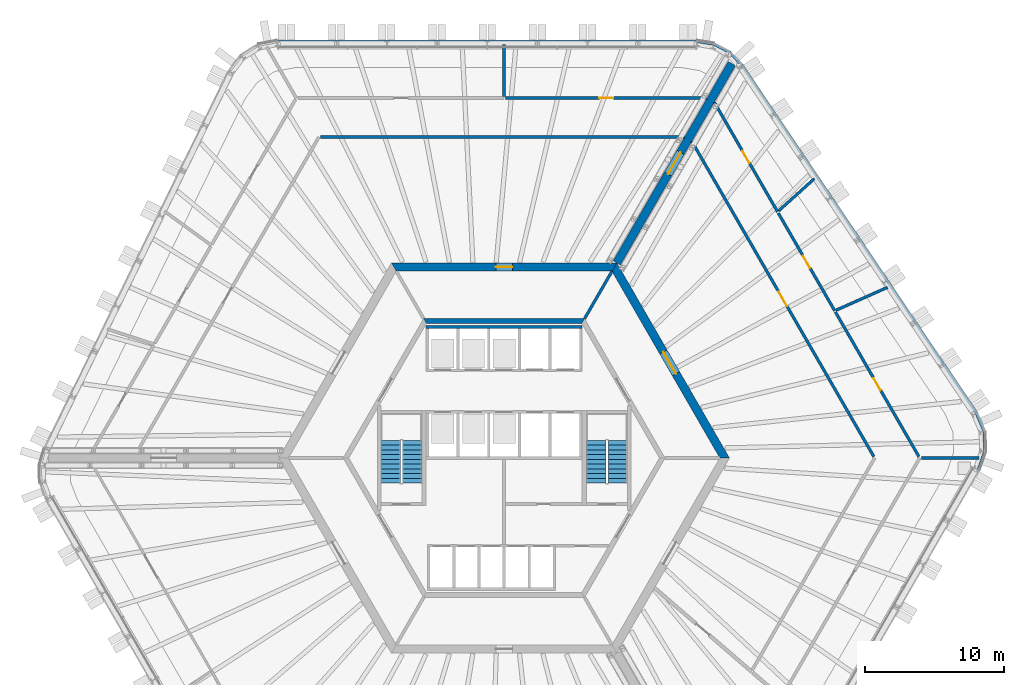
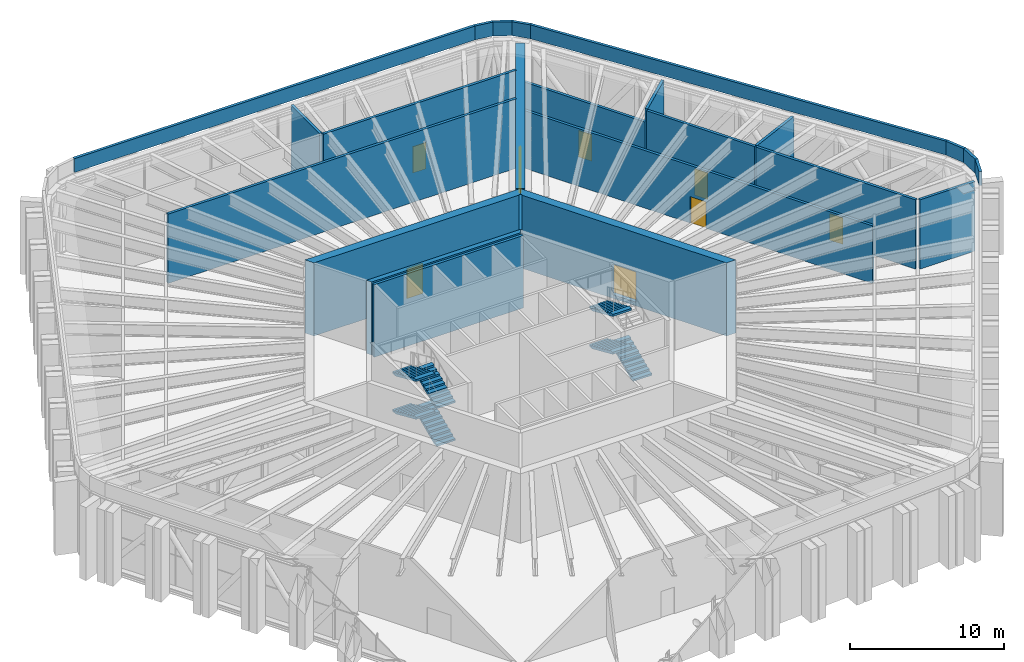
# One storey, part 16 of 27: 24 walls, 8 doors, 7 stair flights, 8 openings, 2 elements without a shape of their own.
"""IFC4 building model written with IfcOpenShell, lengths in metres."""

from ifc_helpers import new_model, si_unit, direction, frame, frame_2d, origin, place, context, subcontext, project, spatial, polyline, rectangle, outline, extrude, material, layer, layer_set, type_object, element, fill, aggregate, save


model = new_model("IFC4")

# Units and contexts
model_context = context("Model", 3, precision=1e-05, world=origin(), true_north=direction((0.0, 1.0)))
body_context = subcontext(model_context, "Body", "Model", "MODEL_VIEW")
ifc_project = project(units=[si_unit("LENGTHUNIT", "METRE"), si_unit("AREAUNIT", "SQUARE_METRE"), si_unit("VOLUMEUNIT", "CUBIC_METRE"), si_unit("PLANEANGLEUNIT", "RADIAN"), si_unit("MASSUNIT", "GRAM", prefix="KILO")], contexts=[model_context])

# Site, building, storey
site_placement = place(None, origin())
site = spatial("IfcSite", under=ifc_project, at=site_placement, CompositionType="ELEMENT")
building_placement = place(site_placement, origin())
building = spatial("IfcBuilding", under=site, at=building_placement, Name="Tarnside Tower", CompositionType="ELEMENT")
storey_placement = place(building_placement, frame((0.0, 0.0, 146.699951171875)))
storey = spatial("IfcBuildingStorey", under=building, at=storey_placement, Name="L34", CompositionType="ELEMENT", Elevation=146.699951171875)

# Wall
ifc_material_1 = material(Name="Concrete C50/60", Category="concrete")
ifc_layer_1 = layer(ifc_material_1, 0.35009765625)
ifc_layer_set_1 = layer_set([ifc_layer_1], Name="Core block wall 350 C50/60")
wall_type_1 = type_object("IfcWallType", Name="Core block wall 350 C50/60", PredefinedType="SHEAR", material=ifc_layer_set_1)
wall_1_placement = place(storey_placement, frame((5.672607421875, 9.824951171875, -0.300048828125), z_axis=(0.0, 0.0, 1.0), x_axis=(-1.0, 0.0, 0.0)))
element("IfcWall", 1, at=wall_1_placement, inside=storey, type_object=wall_type_1, Name="L34 core block wall face 1", PredefinedType="SHEAR", context=body_context, shape_type="SweptSolid", body=[
    extrude(outline(polyline([(-0.10107421875, -0.175048828125), (11.4462890625, -0.175048828125), (11.244140625, 0.175048828125), (0.10107421875, 0.175048828125), (-0.10107421875, -0.175048828125)])), origin(), (0.0, 0.0, 1.0), 5.800048828125),
])

# Wall, opening, door
ifc_material_2 = material(Name="Concrete C80/95", Category="concrete")
ifc_layer_2 = layer(ifc_material_2, 0.60009765625)
ifc_layer_set_2 = layer_set([ifc_layer_2], Name="Core wall Z1 600 C80/95")
wall_type_2 = type_object("IfcWallType", Name="Core wall Z1 600 C80/95", PredefinedType="SHEAR", material=ifc_layer_set_2)
wall_2_placement = place(storey_placement, frame((15.8193359375, 0.0, -0.300048828125), z_axis=(0.0, 0.0, 1.0), x_axis=(-0.499999880136, 0.866025472988, 0.0)))
wall_2 = element("IfcWall", 2, at=wall_2_placement, inside=storey, type_object=wall_type_2, Name="L34 core wall face 6", PredefinedType="SHEAR", context=body_context, shape_type="SweptSolid", body=[
    extrude(outline(polyline([(-0.17333984375, -0.300048828125), (15.99267578125, -0.300048828125), (15.64599609375, 0.300048828125), (0.17333984375, 0.300048828125), (-0.17333984375, -0.300048828125)])), origin(), (0.0, 0.0, 1.0), 5.800048828125),
])
opening_1_placement = place(wall_2_placement, frame((6.980712890625, 0.0, 0.300048828125)))
opening_1 = element("IfcOpeningElement", 3, at=opening_1_placement, cuts=wall_2, Name="Opening CD-LOB", PredefinedType="OPENING", context=body_context, shape_type="SweptSolid", body=[
    extrude(rectangle(XDim=1.800048828125, YDim=2.39990234375, at=frame_2d((0.89990234375, 1.199951171875))), frame((0.0, 0.31005859375, 0.0), z_axis=(0.0, -1.0, 0.0), x_axis=(1.0, 0.0, 0.0)), (0.0, 0.0, 1.0), 0.6201171875),
])
ifc_material_3 = material(Name="Steel fire door", Category="steel")
door_type_1 = type_object("IfcDoorType", Name="Lobby double door FD30S 1800x2400", OperationType="NOTDEFINED", PredefinedType="DOOR", material=ifc_material_3)
door_1_placement = place(opening_1_placement, origin())
door_1 = element("IfcDoor", 4, at=door_1_placement, inside=storey, type_object=door_type_1, Name="L34 core door P2", OperationType="DOUBLE_DOOR_SINGLE_SWING", OverallHeight=2.39990234375, OverallWidth=1.800048828125, PredefinedType="DOOR", context=body_context, shape_type="SweptSolid", body=[
    extrude(rectangle(XDim=1.800048828125, YDim=2.39990234375, at=frame_2d((0.89990234375, 1.199951171875))), frame((0.0, 0.02490234375, 0.0), z_axis=(0.0, -1.0, 0.0), x_axis=(1.0, 0.0, 0.0)), (0.0, 0.0, 1.0), 0.050048828125),
])
fill(opening_1, door_1)

wall_3_placement = place(storey_placement, frame((7.90966796875, 13.699951171875, -0.300048828125), z_axis=(0.0, 0.0, 1.0), x_axis=(-1.0, 0.0, 0.0)))
wall_3 = element("IfcWall", 5, at=wall_3_placement, inside=storey, type_object=wall_type_2, Name="L34 core wall face 1", PredefinedType="SHEAR", context=body_context, shape_type="SweptSolid", body=[
    extrude(outline(polyline([(-0.17333984375, -0.300048828125), (15.99267578125, -0.300048828125), (15.64599609375, 0.300048828125), (0.17333984375, 0.300048828125), (-0.17333984375, -0.300048828125)])), origin(), (0.0, 0.0, 1.0), 5.800048828125),
])
opening_2_placement = place(wall_3_placement, frame((7.309814453125, 0.0, 0.300048828125)))
opening_2 = element("IfcOpeningElement", 6, at=opening_2_placement, cuts=wall_3, Name="Opening CD-RSR", PredefinedType="OPENING", context=body_context, shape_type="SweptSolid", body=[
    extrude(rectangle(XDim=1.199951171875, YDim=2.39990234375, at=frame_2d((0.60009765625, 1.199951171875))), frame((0.0, 0.31005859375, 0.0), z_axis=(0.0, -1.0, 0.0), x_axis=(1.0, 0.0, 0.0)), (0.0, 0.0, 1.0), 0.6201171875),
])
door_type_2 = type_object("IfcDoorType", Name="Riser door FD60 1200x2400", OperationType="NOTDEFINED", PredefinedType="DOOR", material=ifc_material_3)
door_2_placement = place(opening_2_placement, origin())
door_2 = element("IfcDoor", 7, at=door_2_placement, inside=storey, type_object=door_type_2, Name="L34 core door S5", OperationType="SINGLE_SWING_LEFT", OverallHeight=2.39990234375, OverallWidth=1.199951171875, PredefinedType="DOOR", context=body_context, shape_type="SweptSolid", body=[
    extrude(rectangle(XDim=1.199951171875, YDim=2.39990234375, at=frame_2d((0.60009765625, 1.199951171875))), frame((0.0, 0.02490234375, 0.0), z_axis=(0.0, -1.0, 0.0), x_axis=(1.0, 0.0, 0.0)), (0.0, 0.0, 1.0), 0.050048828125),
])
fill(opening_2, door_2)

wall_4_placement = place(storey_placement, frame((8.0830078125, 14.0, -0.300048828125), z_axis=(0.0, 0.0, 1.0), x_axis=(0.499997680643, 0.866026742862, 0.0)))
wall_4 = element("IfcWall", 8, at=wall_4_placement, inside=storey, type_object=wall_type_2, Name="L34 spine wall 1", PredefinedType="SHEAR", context=body_context, shape_type="SweptSolid", body=[
    extrude(rectangle(XDim=16.5087890625, YDim=0.60009765625, at=frame_2d((8.25439453125, 0.0))), origin(), (0.0, 0.0, 1.0), 5.800048828125),
])
opening_3_placement = place(wall_4_placement, frame((7.3544921875, 0.0, 0.300048828125)))
opening_3 = element("IfcOpeningElement", 9, at=opening_3_placement, cuts=wall_4, Name="Opening CD-SPN", PredefinedType="OPENING", context=body_context, shape_type="SweptSolid", body=[
    extrude(rectangle(XDim=1.800048828125, YDim=2.39990234375, at=frame_2d((0.89990234375, 1.199951171875))), frame((0.0, 0.31005859375, 0.0), z_axis=(0.0, -1.0, 0.0), x_axis=(1.0, 0.0, 0.0)), (0.0, 0.0, 1.0), 0.6201171875),
])
door_type_3 = type_object("IfcDoorType", Name="Spine passage double door FD60 1800x2400", OperationType="NOTDEFINED", PredefinedType="DOOR", material=ifc_material_3)
door_3_placement = place(opening_3_placement, origin())
door_3 = element("IfcDoor", 10, at=door_3_placement, inside=storey, type_object=door_type_3, Name="L34 spine passage door 1", OperationType="DOUBLE_DOOR_SINGLE_SWING", OverallHeight=2.39990234375, OverallWidth=1.800048828125, PredefinedType="DOOR", context=body_context, shape_type="SweptSolid", body=[
    extrude(rectangle(XDim=1.800048828125, YDim=2.39990234375, at=frame_2d((0.89990234375, 1.199951171875))), frame((0.0, 0.02490234375, 0.0), z_axis=(0.0, -1.0, 0.0), x_axis=(1.0, 0.0, 0.0)), (0.0, 0.0, 1.0), 0.050048828125),
])
fill(opening_3, door_3)

# Walls
ifc_material_4 = material(Name="Concrete C40/50", Category="concrete")
ifc_layer_3 = layer(ifc_material_4, 0.199951171875)
ifc_layer_set_3 = layer_set([ifc_layer_3], Name="Lift shaft wall 200 C40/50")
wall_type_3 = type_object("IfcWallType", Name="Lift shaft wall 200 C40/50", PredefinedType="SHEAR", material=ifc_layer_set_3)
wall_5_placement = place(storey_placement, frame((-5.60009765625, 9.39990234375, -0.25), z_axis=(0.0, 0.0, 1.0), x_axis=(1.0, 0.0, 0.0)))
element("IfcWall", 11, at=wall_5_placement, inside=storey, type_object=wall_type_3, Name="L34 lift shaft back wall R1", PredefinedType="SHEAR", context=body_context, shape_type="SweptSolid", body=[
    extrude(rectangle(XDim=11.2001953125, YDim=0.199951171875, at=frame_2d((5.60009765625, 0.0))), origin(), (0.0, 0.0, 1.0), 5.75),
])
wall_6_placement = place(storey_placement, frame((5.7734375, 10.0, -0.300048828125), z_axis=(0.0, 0.0, 1.0), x_axis=(0.500038251005, 0.86600331843, 0.0)))
element("IfcWall", 12, at=wall_6_placement, inside=storey, type_object=wall_type_3, Name="L34 core partition AR60", PredefinedType="SHEAR", context=body_context, shape_type="SweptSolid", body=[
    extrude(rectangle(XDim=3.926025390625, YDim=0.199951171875, at=frame_2d((1.962890625, 0.0))), origin(), (0.0, 0.0, 1.0), 5.800048828125),
])
ifc_material_5 = material(Name="Concrete C35/45 precast", Category="concrete")
ifc_layer_4 = layer(ifc_material_5, 0.199951171875)
ifc_layer_set_4 = layer_set([ifc_layer_4], Name="Parapet 200 x 1100")
wall_type_4 = type_object("IfcWallType", Name="Parapet 200 x 1100", PredefinedType="PARAPET", material=ifc_layer_set_4)
wall_7_placement = place(storey_placement, frame((13.816162109375, 29.89990234375, 5.699951171875), z_axis=(0.0, 0.0, 1.0), x_axis=(0.986779937267, -0.162065898346, 0.0)))
element("IfcWall", 13, at=wall_7_placement, inside=storey, type_object=wall_type_4, Name="Roof parapet 01", PredefinedType="PARAPET", context=body_context, shape_type="SweptSolid", body=[
    extrude(outline(polyline([(0.008056640625, -0.10009765625), (1.256591796875, -0.10009765625), (1.289306640625, 0.10009765625), (-0.008056640625, 0.10009765625), (0.008056640625, -0.10009765625)])), origin(), (0.0, 0.0, 1.0), 1.10009765625),
])
wall_8_placement = place(storey_placement, frame((15.072265625, 29.693603515625, 5.699951171875), z_axis=(0.0, 0.0, 1.0), x_axis=(0.88290815292, -0.469545731008, 0.0)))
element("IfcWall", 14, at=wall_8_placement, inside=storey, type_object=wall_type_4, Name="Roof parapet 02", PredefinedType="PARAPET", context=body_context, shape_type="SweptSolid", body=[
    extrude(outline(polyline([(0.016357421875, -0.10009765625), (1.248046875, -0.10009765625), (1.28076171875, 0.10009765625), (-0.016357421875, 0.10009765625), (0.016357421875, -0.10009765625)])), origin(), (0.0, 0.0, 1.0), 1.10009765625),
])
wall_9_placement = place(storey_placement, frame((16.188720703125, 29.099853515625, 5.699951171875), z_axis=(0.0, 0.0, 1.0), x_axis=(0.686285527981, -0.727332230885, 0.0)))
element("IfcWall", 15, at=wall_9_placement, inside=storey, type_object=wall_type_4, Name="Roof parapet 03", PredefinedType="PARAPET", context=body_context, shape_type="SweptSolid", body=[
    extrude(outline(polyline([(0.016357421875, -0.10009765625), (1.264892578125, -0.10009765625), (1.281005859375, 0.10009765625), (-0.016357421875, 0.10009765625), (0.016357421875, -0.10009765625)])), origin(), (0.0, 0.0, 1.0), 1.10009765625),
])
wall_10_placement = place(storey_placement, frame((17.062255859375, 28.174072265625, 5.699951171875), z_axis=(0.0, 0.0, 1.0), x_axis=(0.559191272145, -0.829038672896, 0.0)))
element("IfcWall", 16, at=wall_10_placement, inside=storey, type_object=wall_type_4, Name="Roof parapet 04", PredefinedType="PARAPET", context=body_context, shape_type="SweptSolid", body=[
    extrude(outline(polyline([(0.008056640625, -0.10009765625), (30.044189453125, -0.10009765625), (30.062744140625, 0.10009765625), (-0.008056640625, 0.10009765625), (0.008056640625, -0.10009765625)])), origin(), (0.0, 0.0, 1.0), 1.10009765625),
])
wall_11_placement = place(storey_placement, frame((33.867919921875, 3.258544921875, 5.699951171875), z_axis=(0.0, 0.0, 1.0), x_axis=(0.396149459685, -0.918186040839, 0.0)))
element("IfcWall", 17, at=wall_11_placement, inside=storey, type_object=wall_type_4, Name="Roof parapet 05", PredefinedType="PARAPET", context=body_context, shape_type="SweptSolid", body=[
    extrude(outline(polyline([(0.00927734375, -0.10009765625), (1.433837890625, -0.10009765625), (1.471435546875, 0.10009765625), (-0.00927734375, 0.10009765625), (0.00927734375, -0.10009765625)])), origin(), (0.0, 0.0, 1.0), 1.10009765625),
])
wall_12_placement = place(storey_placement, frame((34.443359375, 1.9248046875, 5.699951171875), z_axis=(0.0, 0.0, 1.0), x_axis=(0.034852691187, -0.999392460406, 0.0)))
element("IfcWall", 18, at=wall_12_placement, inside=storey, type_object=wall_type_4, Name="Roof parapet 06", PredefinedType="PARAPET", context=body_context, shape_type="SweptSolid", body=[
    extrude(outline(polyline([(0.018798828125, -0.10009765625), (1.42431640625, -0.10009765625), (1.4619140625, 0.10009765625), (-0.018798828125, 0.10009765625), (0.018798828125, -0.10009765625)])), origin(), (0.0, 0.0, 1.0), 1.10009765625),
])
wall_13_placement = place(storey_placement, frame((34.49365234375, 0.482666015625, 5.699951171875), z_axis=(0.0, 0.0, 1.0), x_axis=(-0.331061462049, -0.943609192593, 0.0)))
element("IfcWall", 19, at=wall_13_placement, inside=storey, type_object=wall_type_4, Name="Roof parapet 07", PredefinedType="PARAPET", context=body_context, shape_type="SweptSolid", body=[
    extrude(outline(polyline([(0.018798828125, -0.10009765625), (1.443603515625, -0.10009765625), (1.462158203125, 0.10009765625), (-0.018798828125, 0.10009765625), (0.018798828125, -0.10009765625)])), origin(), (0.0, 0.0, 1.0), 1.10009765625),
])
wall_14_placement = place(storey_placement, frame((-16.2373046875, 29.89990234375, 5.699951171875), z_axis=(0.0, 0.0, 1.0), x_axis=(1.0, 0.0, 0.0)))
element("IfcWall", 20, at=wall_14_placement, inside=storey, type_object=wall_type_4, Name="Roof parapet 24", PredefinedType="PARAPET", context=body_context, shape_type="SweptSolid", body=[
    extrude(outline(polyline([(0.00927734375, -0.10009765625), (30.04541015625, -0.10009765625), (30.0615234375, 0.10009765625), (-0.00927734375, 0.10009765625), (0.00927734375, -0.10009765625)])), origin(), (0.0, 0.0, 1.0), 1.10009765625),
])
ifc_material_6 = material(Name="Concrete C32/40", Category="concrete")
ifc_layer_5 = layer(ifc_material_6, 0.199951171875)
ifc_layer_set_5 = layer_set([ifc_layer_5], Name="Wall 200 reinforced Concrete C32/40")
wall_type_5 = type_object("IfcWallType", Name="Wall 200 reinforced Concrete C32/40", PredefinedType="PARTITIONING", material=ifc_layer_set_5)
wall_15_placement = place(storey_placement, frame((0.0, 29.64990234375, 0.0), z_axis=(0.0, 0.0, 1.0), x_axis=(0.0, -1.0, 0.0)))
element("IfcWall", 21, at=wall_15_placement, inside=storey, type_object=wall_type_5, Name="Partition 014", PredefinedType="PARTITIONING", context=body_context, shape_type="SweptSolid", body=[
    extrude(rectangle(XDim=3.72998046875, YDim=0.199951171875, at=frame_2d((1.864990234375, 0.0))), origin(), (0.0, 0.0, 1.0), 5.5),
])
wall_16_placement = place(storey_placement, frame((12.944091796875, 23.02001953125, 0.0), z_axis=(0.0, 0.0, 1.0), x_axis=(-1.0, 0.0, 0.0)))
element("IfcWall", 22, at=wall_16_placement, inside=storey, type_object=wall_type_5, Name="Partition 019", PredefinedType="PARTITIONING", context=body_context, shape_type="SweptSolid", body=[
    extrude(rectangle(XDim=26.11962890625, YDim=0.199951171875, at=frame_2d((13.059814453125, 0.0))), origin(), (0.0, 0.0, 1.0), 5.5),
])

# Wall, opening, door
wall_17_placement = place(storey_placement, frame((0.10009765625, 25.820068359375, 0.0), z_axis=(0.0, 0.0, 1.0), x_axis=(1.0, 0.0, 0.0)))
wall_17 = element("IfcWall", 23, at=wall_17_placement, inside=storey, type_object=wall_type_5, Name="Partition 020", PredefinedType="PARTITIONING", context=body_context, shape_type="SweptSolid", body=[
    extrude(rectangle(XDim=14.4609375, YDim=0.199951171875, at=frame_2d((7.23046875, 0.0))), origin(), (0.0, 0.0, 1.0), 5.5),
])
opening_4_placement = place(wall_17_placement, frame((6.73046875, 0.0, 0.0)))
opening_4 = element("IfcOpeningElement", 24, at=opening_4_placement, cuts=wall_17, Name="Opening D1000F60", PredefinedType="OPENING", context=body_context, shape_type="SweptSolid", body=[
    extrude(rectangle(XDim=1.0, YDim=2.10009765625, at=frame_2d((0.5, 1.050048828125))), frame((0.0, 0.10986328125, 0.0), z_axis=(0.0, -1.0, 0.0), x_axis=(1.0, 0.0, 0.0)), (0.0, 0.0, 1.0), 0.219970703125),
])
ifc_material_7 = material(Name="Timber door leaf", Category="wood")
door_type_4 = type_object("IfcDoorType", Name="Door 1000 x 2100 single leaf FD60 fire door", OperationType="NOTDEFINED", PredefinedType="DOOR", material=ifc_material_7)
door_4_placement = place(opening_4_placement, origin())
door_4 = element("IfcDoor", 25, at=door_4_placement, inside=storey, type_object=door_type_4, Name="Door L34-11", OperationType="SINGLE_SWING_RIGHT", OverallHeight=2.10009765625, OverallWidth=1.0, PredefinedType="DOOR", context=body_context, shape_type="SweptSolid", body=[
    extrude(rectangle(XDim=1.0, YDim=2.10009765625, at=frame_2d((0.5, 1.050048828125))), frame((0.0, 0.02490234375, 0.0), z_axis=(0.0, -1.0, 0.0), x_axis=(1.0, 0.0, 0.0)), (0.0, 0.0, 1.0), 0.050048828125),
])
fill(opening_4, door_4)

wall_18_placement = place(storey_placement, frame((15.080078125, 25.52001953125, 0.0), z_axis=(0.0, 0.0, 1.0), x_axis=(0.50005476547, -0.865993782617, 0.0)))
wall_18 = element("IfcWall", 26, at=wall_18_placement, inside=storey, type_object=wall_type_5, Name="Partition 023", PredefinedType="PARTITIONING", context=body_context, shape_type="SweptSolid", body=[
    extrude(rectangle(XDim=9.07275390625, YDim=0.199951171875, at=frame_2d((4.536376953125, 0.0))), origin(), (0.0, 0.0, 1.0), 4.573486328125),
])
opening_5_placement = place(wall_18_placement, frame((4.036376953125, 0.0, 0.0)))
opening_5 = element("IfcOpeningElement", 27, at=opening_5_placement, cuts=wall_18, Name="Opening D1000F60", PredefinedType="OPENING", context=body_context, shape_type="SweptSolid", body=[
    extrude(rectangle(XDim=1.0, YDim=2.10009765625, at=frame_2d((0.5, 1.050048828125))), frame((0.0, 0.10986328125, 0.0), z_axis=(0.0, -1.0, 0.0), x_axis=(1.0, 0.0, 0.0)), (0.0, 0.0, 1.0), 0.219970703125),
])
door_5_placement = place(opening_5_placement, origin())
door_5 = element("IfcDoor", 28, at=door_5_placement, inside=storey, type_object=door_type_4, Name="Door L34-13", OperationType="SINGLE_SWING_RIGHT", OverallHeight=2.10009765625, OverallWidth=1.0, PredefinedType="DOOR", context=body_context, shape_type="SweptSolid", body=[
    extrude(rectangle(XDim=1.0, YDim=2.10009765625, at=frame_2d((0.5, 1.050048828125))), frame((0.0, 0.02490234375, 0.0), z_axis=(0.0, -1.0, 0.0), x_axis=(1.0, 0.0, 0.0)), (0.0, 0.0, 1.0), 0.050048828125),
])
fill(opening_5, door_5)

# Wall
wall_19_placement = place(storey_placement, frame((22.24951171875, 20.033935546875, 0.0), z_axis=(0.0, 0.0, 1.0), x_axis=(-0.743075351074, -0.669207757446, 0.0)))
element("IfcWall", 29, at=wall_19_placement, inside=storey, type_object=wall_type_5, Name="Partition 026", PredefinedType="PARTITIONING", context=body_context, shape_type="SweptSolid", body=[
    extrude(rectangle(XDim=3.440673828125, YDim=0.199951171875, at=frame_2d((1.72021484375, 0.0))), origin(), (0.0, 0.0, 1.0), 5.5),
])

# Wall, opening, door
wall_20_placement = place(storey_placement, frame((19.668212890625, 17.574462890625, 0.0), z_axis=(0.0, 0.0, 1.0), x_axis=(0.50000337782, -0.86602345359, 0.0)))
wall_20 = element("IfcWall", 30, at=wall_20_placement, inside=storey, type_object=wall_type_5, Name="Partition 028", PredefinedType="PARTITIONING", context=body_context, shape_type="SweptSolid", body=[
    extrude(rectangle(XDim=8.099609375, YDim=0.199951171875, at=frame_2d((4.0498046875, 0.0))), origin(), (0.0, 0.0, 1.0), 5.5),
])
opening_6_placement = place(wall_20_placement, frame((3.5498046875, 0.0, 0.0)))
opening_6 = element("IfcOpeningElement", 31, at=opening_6_placement, cuts=wall_20, Name="Opening D1000F60", PredefinedType="OPENING", context=body_context, shape_type="SweptSolid", body=[
    extrude(rectangle(XDim=1.0, YDim=2.10009765625, at=frame_2d((0.5, 1.050048828125))), frame((0.0, 0.10986328125, 0.0), z_axis=(0.0, -1.0, 0.0), x_axis=(1.0, 0.0, 0.0)), (0.0, 0.0, 1.0), 0.219970703125),
])
door_6_placement = place(opening_6_placement, origin())
door_6 = element("IfcDoor", 32, at=door_6_placement, inside=storey, type_object=door_type_4, Name="Door L34-15", OperationType="SINGLE_SWING_RIGHT", OverallHeight=2.10009765625, OverallWidth=1.0, PredefinedType="DOOR", context=body_context, shape_type="SweptSolid", body=[
    extrude(rectangle(XDim=1.0, YDim=2.10009765625, at=frame_2d((0.5, 1.050048828125))), frame((0.0, 0.02490234375, 0.0), z_axis=(0.0, -1.0, 0.0), x_axis=(1.0, 0.0, 0.0)), (0.0, 0.0, 1.0), 0.050048828125),
])
fill(opening_6, door_6)

wall_21_placement = place(storey_placement, frame((26.523193359375, 0.10009765625, 0.0), z_axis=(0.0, 0.0, 1.0), x_axis=(-0.499985419657, 0.866033821586, 0.0)))
wall_21 = element("IfcWall", 33, at=wall_21_placement, inside=storey, type_object=wall_type_5, Name="Partition 029", PredefinedType="PARTITIONING", context=body_context, shape_type="SweptSolid", body=[
    extrude(rectangle(XDim=26.118896484375, YDim=0.199951171875, at=frame_2d((13.0595703125, 0.0))), origin(), (0.0, 0.0, 1.0), 4.573486328125),
])
opening_7_placement = place(wall_21_placement, frame((12.45947265625, 0.0, 0.0)))
opening_7 = element("IfcOpeningElement", 34, at=opening_7_placement, cuts=wall_21, Name="Opening D1200F60", PredefinedType="OPENING", context=body_context, shape_type="SweptSolid", body=[
    extrude(rectangle(XDim=1.199951171875, YDim=2.10009765625, at=frame_2d((0.60009765625, 1.050048828125))), frame((0.0, 0.10986328125, 0.0), z_axis=(0.0, -1.0, 0.0), x_axis=(1.0, 0.0, 0.0)), (0.0, 0.0, 1.0), 0.219970703125),
])
door_type_5 = type_object("IfcDoorType", Name="Door 1200 x 2100 single leaf FD60 fire door", OperationType="NOTDEFINED", PredefinedType="DOOR", material=ifc_material_7)
door_7_placement = place(opening_7_placement, origin())
door_7 = element("IfcDoor", 35, at=door_7_placement, inside=storey, type_object=door_type_5, Name="Door L34-16", OperationType="SINGLE_SWING_LEFT", OverallHeight=2.10009765625, OverallWidth=1.199951171875, PredefinedType="DOOR", context=body_context, shape_type="SweptSolid", body=[
    extrude(rectangle(XDim=1.199951171875, YDim=2.10009765625, at=frame_2d((0.60009765625, 1.050048828125))), frame((0.0, 0.02490234375, 0.0), z_axis=(0.0, -1.0, 0.0), x_axis=(1.0, 0.0, 0.0)), (0.0, 0.0, 1.0), 0.050048828125),
])
fill(opening_7, door_7)

# Wall
wall_22_placement = place(storey_placement, frame((27.501708984375, 12.244384765625, 0.0), z_axis=(0.0, 0.0, 1.0), x_axis=(-0.913562251787, -0.406698920714, 0.0)))
element("IfcWall", 36, at=wall_22_placement, inside=storey, type_object=wall_type_5, Name="Partition 030", PredefinedType="PARTITIONING", context=body_context, shape_type="SweptSolid", body=[
    extrude(rectangle(XDim=4.041259765625, YDim=0.199951171875, at=frame_2d((2.0205078125, 0.0))), origin(), (0.0, 0.0, 1.0), 5.5),
])

# Wall, opening, door
wall_23_placement = place(storey_placement, frame((23.768310546875, 10.472900390625, 0.0), z_axis=(0.0, 0.0, 1.0), x_axis=(0.499955956564, -0.866050830781, 0.0)))
wall_23 = element("IfcWall", 37, at=wall_23_placement, inside=storey, type_object=wall_type_5, Name="Partition 031", PredefinedType="PARTITIONING", context=body_context, shape_type="SweptSolid", body=[
    extrude(rectangle(XDim=11.97705078125, YDim=0.199951171875, at=frame_2d((5.988525390625, 0.0))), origin(), (0.0, 0.0, 1.0), 5.5),
])
opening_8_placement = place(wall_23_placement, frame((5.488525390625, 0.0, 0.0)))
opening_8 = element("IfcOpeningElement", 38, at=opening_8_placement, cuts=wall_23, Name="Opening D1000F60", PredefinedType="OPENING", context=body_context, shape_type="SweptSolid", body=[
    extrude(rectangle(XDim=1.0, YDim=2.10009765625, at=frame_2d((0.5, 1.050048828125))), frame((0.0, 0.10986328125, 0.0), z_axis=(0.0, -1.0, 0.0), x_axis=(1.0, 0.0, 0.0)), (0.0, 0.0, 1.0), 0.219970703125),
])
door_8_placement = place(opening_8_placement, origin())
door_8 = element("IfcDoor", 39, at=door_8_placement, inside=storey, type_object=door_type_4, Name="Door L34-17", OperationType="SINGLE_SWING_RIGHT", OverallHeight=2.10009765625, OverallWidth=1.0, PredefinedType="DOOR", context=body_context, shape_type="SweptSolid", body=[
    extrude(rectangle(XDim=1.0, YDim=2.10009765625, at=frame_2d((0.5, 1.050048828125))), frame((0.0, 0.02490234375, 0.0), z_axis=(0.0, -1.0, 0.0), x_axis=(1.0, 0.0, 0.0)), (0.0, 0.0, 1.0), 0.050048828125),
])
fill(opening_8, door_8)

# Wall
wall_24_placement = place(storey_placement, frame((34.052978515625, 0.0, 0.0), z_axis=(0.0, 0.0, 1.0), x_axis=(-1.0, 0.0, 0.0)))
element("IfcWall", 40, at=wall_24_placement, inside=storey, type_object=wall_type_5, Name="Partition 032", PredefinedType="PARTITIONING", context=body_context, shape_type="SweptSolid", body=[
    extrude(rectangle(XDim=4.12353515625, YDim=0.199951171875, at=frame_2d((2.061767578125, 0.0))), origin(), (0.0, 0.0, 1.0), 5.5),
])

# Stair, stair flights
stair_type = type_object("IfcStairType", Name="Exit stair 1400 clear", PredefinedType="HALF_TURN_STAIR", material=ifc_material_4)
stair_1_placement = place(storey_placement, origin())
stair_1 = element("IfcStair", 41, at=stair_1_placement, inside=storey, type_object=stair_type, Name="L34 Exit stair 1", PredefinedType="HALF_TURN_STAIR")
stair_flight_type = type_object("IfcStairFlightType", Name="Exit stair flight 1400", PredefinedType="STRAIGHT", material=ifc_material_4)
stair_flight_1_placement = place(storey_placement, frame((8.14990234375, -1.800048828125, 0.0), z_axis=(0.0, 0.0, 1.0), x_axis=(0.0, 1.0, 0.0)))
stair_flight_1 = element("IfcStairFlight", 42, at=stair_flight_1_placement, type_object=stair_flight_type, Name="ST1 flight 1", NumberOfRisers=10, NumberOfTreads=9, PredefinedType="STRAIGHT", RiserHeight=0.15, TreadLength=0.34, context=body_context, shape_type="SweptSolid", body=[
    extrude(outline(polyline([(0.0, 0.0), (0.0, 0.14990234375), (0.340087890625, 0.14990234375), (0.340087890625, 0.300048828125), (0.679931640625, 0.300048828125), (0.679931640625, 0.449951171875), (1.02001953125, 0.449951171875), (1.02001953125, 0.60009765625), (1.360107421875, 0.60009765625), (1.360107421875, 0.75), (1.699951171875, 0.75), (1.699951171875, 0.89990234375), (2.0400390625, 0.89990234375), (2.0400390625, 1.050048828125), (2.3798828125, 1.050048828125), (2.3798828125, 1.199951171875), (2.719970703125, 1.199951171875), (2.719970703125, 1.35009765625), (3.06005859375, 1.35009765625), (3.06005859375, 1.5), (3.06005859375, 1.186279296875), (0.371337890625, 0.0), (0.0, 0.0)])), frame((0.0, 0.699951171875, 0.0), z_axis=(0.0, -1.0, 0.0), x_axis=(1.0, 0.0, 0.0)), (0.0, 0.0, 1.0), 1.39990234375),
])
stair_flight_2_placement = place(storey_placement, frame((6.60009765625, 1.260009765625, 1.5), z_axis=(0.0, 0.0, 1.0), x_axis=(0.0, -1.0, 0.0)))
stair_flight_2 = element("IfcStairFlight", 43, at=stair_flight_2_placement, type_object=stair_flight_type, Name="ST1 flight 2", NumberOfRisers=10, NumberOfTreads=9, PredefinedType="STRAIGHT", RiserHeight=0.15, TreadLength=0.34, context=body_context, shape_type="SweptSolid", body=[
    extrude(outline(polyline([(0.0, 0.0), (0.0, 0.14990234375), (0.340087890625, 0.14990234375), (0.340087890625, 0.300048828125), (0.679931640625, 0.300048828125), (0.679931640625, 0.449951171875), (1.02001953125, 0.449951171875), (1.02001953125, 0.60009765625), (1.360107421875, 0.60009765625), (1.360107421875, 0.75), (1.699951171875, 0.75), (1.699951171875, 0.89990234375), (2.0400390625, 0.89990234375), (2.0400390625, 1.050048828125), (2.3798828125, 1.050048828125), (2.3798828125, 1.199951171875), (2.719970703125, 1.199951171875), (2.719970703125, 1.35009765625), (3.06005859375, 1.35009765625), (3.06005859375, 1.5), (3.06005859375, 1.186279296875), (0.371337890625, 0.0), (0.0, 0.0)])), frame((0.0, 0.699951171875, 0.0), z_axis=(0.0, -1.0, 0.0), x_axis=(1.0, 0.0, 0.0)), (0.0, 0.0, 1.0), 1.39990234375),
])
stair_flight_3_placement = place(storey_placement, frame((6.60009765625, 1.260009765625, 4.5), z_axis=(0.0, 0.0, 1.0), x_axis=(0.0, -1.0, 0.0)))
stair_flight_3 = element("IfcStairFlight", 44, at=stair_flight_3_placement, type_object=stair_flight_type, Name="ST1 flight 4", NumberOfRisers=10, NumberOfTreads=9, PredefinedType="STRAIGHT", RiserHeight=0.15, TreadLength=0.34, context=body_context, shape_type="SweptSolid", body=[
    extrude(outline(polyline([(0.0, 0.0), (0.0, 0.14990234375), (0.340087890625, 0.14990234375), (0.340087890625, 0.300048828125), (0.679931640625, 0.300048828125), (0.679931640625, 0.449951171875), (1.02001953125, 0.449951171875), (1.02001953125, 0.60009765625), (1.360107421875, 0.60009765625), (1.360107421875, 0.75), (1.699951171875, 0.75), (1.699951171875, 0.89990234375), (2.0400390625, 0.89990234375), (2.0400390625, 1.050048828125), (2.3798828125, 1.050048828125), (2.3798828125, 1.199951171875), (2.719970703125, 1.199951171875), (2.719970703125, 1.35009765625), (3.06005859375, 1.35009765625), (3.06005859375, 1.5), (3.06005859375, 1.186279296875), (0.371337890625, 0.0), (0.0, 0.0)])), frame((0.0, 0.699951171875, 0.0), z_axis=(0.0, -1.0, 0.0), x_axis=(1.0, 0.0, 0.0)), (0.0, 0.0, 1.0), 1.39990234375),
])
aggregate(stair_1, [stair_flight_1, stair_flight_2, stair_flight_3])

stair_2_placement = place(storey_placement, origin())
stair_2 = element("IfcStair", 45, at=stair_2_placement, inside=storey, type_object=stair_type, Name="L34 Exit stair 2", PredefinedType="HALF_TURN_STAIR")
stair_flight_4_placement = place(storey_placement, frame((-6.60009765625, -1.800048828125, 0.0), z_axis=(0.0, 0.0, 1.0), x_axis=(0.0, 1.0, 0.0)))
stair_flight_4 = element("IfcStairFlight", 46, at=stair_flight_4_placement, type_object=stair_flight_type, Name="ST2 flight 1", NumberOfRisers=10, NumberOfTreads=9, PredefinedType="STRAIGHT", RiserHeight=0.15, TreadLength=0.34, context=body_context, shape_type="SweptSolid", body=[
    extrude(outline(polyline([(0.0, 0.0), (0.0, 0.14990234375), (0.340087890625, 0.14990234375), (0.340087890625, 0.300048828125), (0.679931640625, 0.300048828125), (0.679931640625, 0.449951171875), (1.02001953125, 0.449951171875), (1.02001953125, 0.60009765625), (1.360107421875, 0.60009765625), (1.360107421875, 0.75), (1.699951171875, 0.75), (1.699951171875, 0.89990234375), (2.0400390625, 0.89990234375), (2.0400390625, 1.050048828125), (2.3798828125, 1.050048828125), (2.3798828125, 1.199951171875), (2.719970703125, 1.199951171875), (2.719970703125, 1.35009765625), (3.06005859375, 1.35009765625), (3.06005859375, 1.5), (3.06005859375, 1.186279296875), (0.371337890625, 0.0), (0.0, 0.0)])), frame((0.0, 0.699951171875, 0.0), z_axis=(0.0, -1.0, 0.0), x_axis=(1.0, 0.0, 0.0)), (0.0, 0.0, 1.0), 1.39990234375),
])
stair_flight_5_placement = place(storey_placement, frame((-8.14990234375, 1.260009765625, 1.5), z_axis=(0.0, 0.0, 1.0), x_axis=(0.0, -1.0, 0.0)))
stair_flight_5 = element("IfcStairFlight", 47, at=stair_flight_5_placement, type_object=stair_flight_type, Name="ST2 flight 2", NumberOfRisers=10, NumberOfTreads=9, PredefinedType="STRAIGHT", RiserHeight=0.15, TreadLength=0.34, context=body_context, shape_type="SweptSolid", body=[
    extrude(outline(polyline([(0.0, 0.0), (0.0, 0.14990234375), (0.340087890625, 0.14990234375), (0.340087890625, 0.300048828125), (0.679931640625, 0.300048828125), (0.679931640625, 0.449951171875), (1.02001953125, 0.449951171875), (1.02001953125, 0.60009765625), (1.360107421875, 0.60009765625), (1.360107421875, 0.75), (1.699951171875, 0.75), (1.699951171875, 0.89990234375), (2.0400390625, 0.89990234375), (2.0400390625, 1.050048828125), (2.3798828125, 1.050048828125), (2.3798828125, 1.199951171875), (2.719970703125, 1.199951171875), (2.719970703125, 1.35009765625), (3.06005859375, 1.35009765625), (3.06005859375, 1.5), (3.06005859375, 1.186279296875), (0.371337890625, 0.0), (0.0, 0.0)])), frame((0.0, 0.699951171875, 0.0), z_axis=(0.0, -1.0, 0.0), x_axis=(1.0, 0.0, 0.0)), (0.0, 0.0, 1.0), 1.39990234375),
])
stair_flight_6_placement = place(storey_placement, frame((-6.60009765625, -1.800048828125, 3.0), z_axis=(0.0, 0.0, 1.0), x_axis=(0.0, 1.0, 0.0)))
stair_flight_6 = element("IfcStairFlight", 48, at=stair_flight_6_placement, type_object=stair_flight_type, Name="ST2 flight 3", NumberOfRisers=10, NumberOfTreads=9, PredefinedType="STRAIGHT", RiserHeight=0.15, TreadLength=0.34, context=body_context, shape_type="SweptSolid", body=[
    extrude(outline(polyline([(0.0, 0.0), (0.0, 0.14990234375), (0.340087890625, 0.14990234375), (0.340087890625, 0.300048828125), (0.679931640625, 0.300048828125), (0.679931640625, 0.449951171875), (1.02001953125, 0.449951171875), (1.02001953125, 0.60009765625), (1.360107421875, 0.60009765625), (1.360107421875, 0.75), (1.699951171875, 0.75), (1.699951171875, 0.89990234375), (2.0400390625, 0.89990234375), (2.0400390625, 1.050048828125), (2.3798828125, 1.050048828125), (2.3798828125, 1.199951171875), (2.719970703125, 1.199951171875), (2.719970703125, 1.35009765625), (3.06005859375, 1.35009765625), (3.06005859375, 1.5), (3.06005859375, 1.186279296875), (0.371337890625, 0.0), (0.0, 0.0)])), frame((0.0, 0.699951171875, 0.0), z_axis=(0.0, -1.0, 0.0), x_axis=(1.0, 0.0, 0.0)), (0.0, 0.0, 1.0), 1.39990234375),
])
stair_flight_7_placement = place(storey_placement, frame((-8.14990234375, 1.260009765625, 4.5), z_axis=(0.0, 0.0, 1.0), x_axis=(0.0, -1.0, 0.0)))
stair_flight_7 = element("IfcStairFlight", 49, at=stair_flight_7_placement, type_object=stair_flight_type, Name="ST2 flight 4", NumberOfRisers=10, NumberOfTreads=9, PredefinedType="STRAIGHT", RiserHeight=0.15, TreadLength=0.34, context=body_context, shape_type="SweptSolid", body=[
    extrude(outline(polyline([(0.0, 0.0), (0.0, 0.14990234375), (0.340087890625, 0.14990234375), (0.340087890625, 0.300048828125), (0.679931640625, 0.300048828125), (0.679931640625, 0.449951171875), (1.02001953125, 0.449951171875), (1.02001953125, 0.60009765625), (1.360107421875, 0.60009765625), (1.360107421875, 0.75), (1.699951171875, 0.75), (1.699951171875, 0.89990234375), (2.0400390625, 0.89990234375), (2.0400390625, 1.050048828125), (2.3798828125, 1.050048828125), (2.3798828125, 1.199951171875), (2.719970703125, 1.199951171875), (2.719970703125, 1.35009765625), (3.06005859375, 1.35009765625), (3.06005859375, 1.5), (3.06005859375, 1.186279296875), (0.371337890625, 0.0), (0.0, 0.0)])), frame((0.0, 0.699951171875, 0.0), z_axis=(0.0, -1.0, 0.0), x_axis=(1.0, 0.0, 0.0)), (0.0, 0.0, 1.0), 1.39990234375),
])
aggregate(stair_2, [stair_flight_4, stair_flight_5, stair_flight_6, stair_flight_7])

save(model, "model.ifc")
